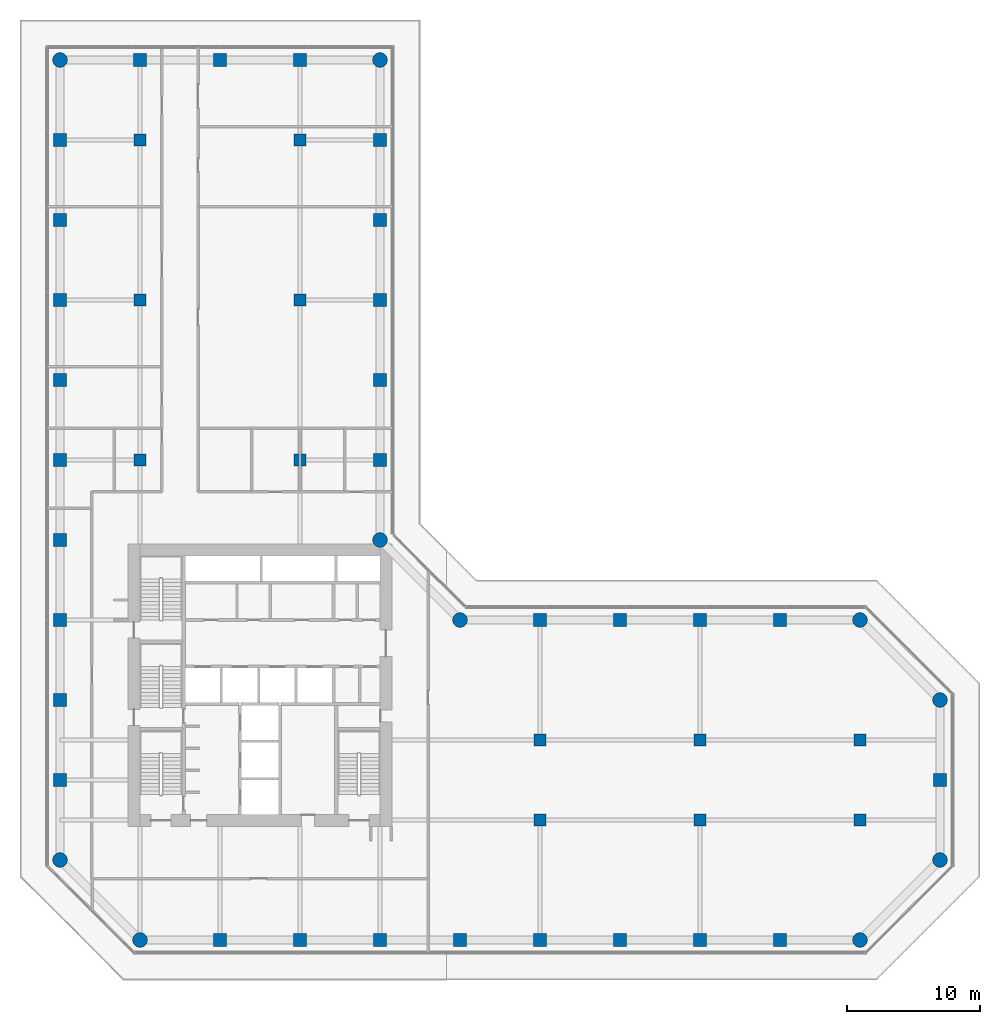
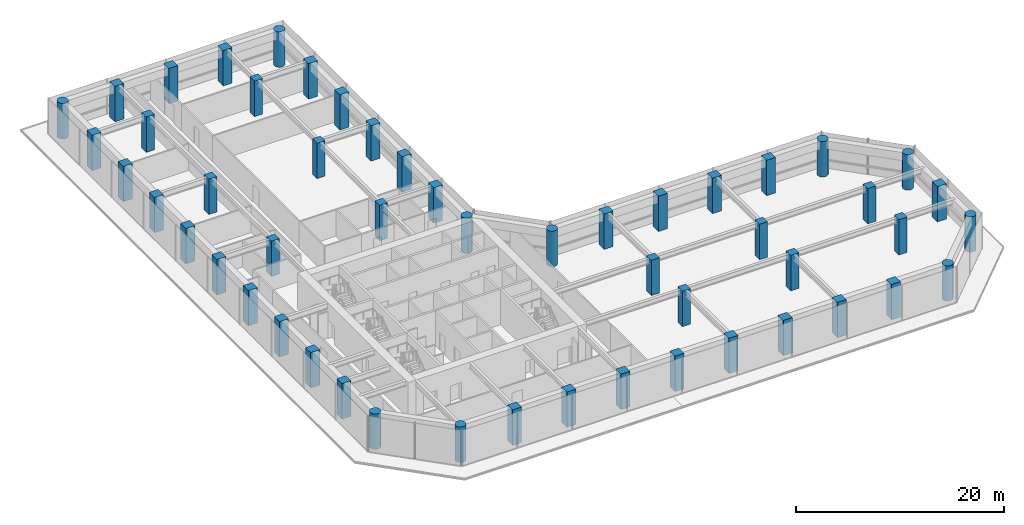
# One storey, part 1 of 24: 52 columns.
"""IFC4 building model written with IfcOpenShell, lengths in metres."""

from ifc_helpers import new_model, si_unit, direction, frame, origin, origin_2d, place, context, subcontext, project, spatial, rectangle, circle, extrude, material, material_profile, profile_set, type_object, element, save


model = new_model("IFC4")

# Units and contexts
model_context = context("Model", 3, precision=1e-05, world=origin(), true_north=direction((0.0, 1.0)))
body_context = subcontext(model_context, "Body", "Model", "MODEL_VIEW")
ifc_project = project(units=[si_unit("LENGTHUNIT", "METRE"), si_unit("AREAUNIT", "SQUARE_METRE"), si_unit("VOLUMEUNIT", "CUBIC_METRE"), si_unit("PLANEANGLEUNIT", "RADIAN"), si_unit("MASSUNIT", "GRAM", prefix="KILO")], contexts=[model_context])

# Site, building, storey
site_placement = place(None, origin())
site = spatial("IfcSite", under=ifc_project, at=site_placement, CompositionType="ELEMENT")
building_placement = place(site_placement, origin())
building = spatial("IfcBuilding", under=site, at=building_placement, Name="Welwitschia Terrace Campus", CompositionType="ELEMENT")
storey_placement = place(building_placement, frame((0.0, 0.0, 15.5)))
storey = spatial("IfcBuildingStorey", under=building, at=storey_placement, Name="L03", CompositionType="ELEMENT", Elevation=15.5)

# Columns
ifc_material_1 = material(Name="Concrete C60/75", Category="concrete")
ifc_material_profile_1 = material_profile(ifc_material_1, circle(Radius=0.550048828125, at=origin_2d()))
ifc_profile_set_1 = profile_set([ifc_material_profile_1], Name="Concrete C60/75")
column_type_1 = type_object("IfcColumnType", Name="Corner column 1100 dia", PredefinedType="COLUMN", material=ifc_profile_set_1)
for number, where, z_axis, x_axis, name in (
    (1, (0.0, 2.0, 0.0), (0.0, 0.0, 1.0), (1.0, 0.0, 0.0), "Column C2"),
    (2, (0.0, 62.0, 0.0), (0.0, 0.0, 1.0), (1.0, 0.0, 0.0), "Column C2"),
    (3, (6.0, -4.0, 0.0), (0.0, 0.0, 1.0), (1.0, 0.0, 0.0), "Column C2"),
    (4, (24.0, 26.0, 0.0), (0.0, 0.0, 1.0), (1.0, 0.0, 0.0), "Column C2"),
    (5, (24.0, 62.0, 0.0), (0.0, 0.0, 1.0), (1.0, 0.0, 0.0), "Column C2"),
    (6, (30.0, 20.0, 0.0), (0.0, 0.0, 1.0), (1.0, 0.0, 0.0), "Column C2"),
    (7, (60.0, -4.0, 0.0), (0.0, 0.0, 1.0), (1.0, 0.0, 0.0), "Column C2"),
    (8, (60.0, 20.0, 0.0), (0.0, 0.0, 1.0), (1.0, 0.0, 0.0), "Column C2"),
    (9, (66.0, 2.0, 0.0), (0.0, 0.0, 1.0), (1.0, 0.0, 0.0), "Column C2"),
    (10, (66.0, 14.0, 0.0), (0.0, 0.0, 1.0), (1.0, 0.0, 0.0), "Column C2"),
):
    element("IfcColumn", number, at=place(storey_placement, frame(where, z_axis=z_axis, x_axis=x_axis)), inside=storey, type_object=column_type_1, Name=name, PredefinedType="COLUMN", context=body_context, shape_type="SweptSolid", body=[
        extrude(circle(Radius=0.550048828125, at=origin_2d()), origin(), (0.0, 0.0, 1.0), 4.14990234375),
    ])
ifc_material_2 = material(Name="Concrete C60/75", Category="concrete")
ifc_material_profile_2 = material_profile(ifc_material_2, rectangle(XDim=0.89990234375, YDim=0.89990234375, at=origin_2d()))
ifc_profile_set_2 = profile_set([ifc_material_profile_2], Name="Concrete C60/75")
column_type_2 = type_object("IfcColumnType", Name="Interior column 900x900", PredefinedType="COLUMN", material=ifc_profile_set_2)
for number, where, z_axis, x_axis, name in (
    (11, (6.0, 32.0, 0.0), (0.0, 0.0, 1.0), (1.0, 0.0, 0.0), "Column C4"),
    (12, (6.0, 44.0, 0.0), (0.0, 0.0, 1.0), (1.0, 0.0, 0.0), "Column C4"),
    (13, (6.0, 56.0, 0.0), (0.0, 0.0, 1.0), (1.0, 0.0, 0.0), "Column C4"),
    (14, (18.0, 32.0, 0.0), (0.0, 0.0, 1.0), (1.0, 0.0, 0.0), "Column C4"),
    (15, (18.0, 44.0, 0.0), (0.0, 0.0, 1.0), (1.0, 0.0, 0.0), "Column C4"),
    (16, (18.0, 56.0, 0.0), (0.0, 0.0, 1.0), (1.0, 0.0, 0.0), "Column C4"),
    (17, (36.0, 5.0, 0.0), (0.0, 0.0, 1.0), (1.0, 0.0, 0.0), "Column C4"),
    (18, (36.0, 11.0, 0.0), (0.0, 0.0, 1.0), (1.0, 0.0, 0.0), "Column C4"),
    (19, (48.0, 5.0, 0.0), (0.0, 0.0, 1.0), (1.0, 0.0, 0.0), "Column C4"),
    (20, (48.0, 11.0, 0.0), (0.0, 0.0, 1.0), (1.0, 0.0, 0.0), "Column C4"),
    (21, (60.0, 5.0, 0.0), (0.0, 0.0, 1.0), (1.0, 0.0, 0.0), "Column C4"),
    (22, (60.0, 11.0, 0.0), (0.0, 0.0, 1.0), (1.0, 0.0, 0.0), "Column C4"),
):
    element("IfcColumn", number, at=place(storey_placement, frame(where, z_axis=z_axis, x_axis=x_axis)), inside=storey, type_object=column_type_2, Name=name, PredefinedType="COLUMN", context=body_context, shape_type="SweptSolid", body=[
        extrude(rectangle(XDim=0.89990234375, YDim=0.89990234375, at=origin_2d()), origin(), (0.0, 0.0, 1.0), 4.14990234375),
    ])
ifc_material_3 = material(Name="Concrete C60/75", Category="concrete")
ifc_material_profile_3 = material_profile(ifc_material_3, rectangle(XDim=1.0, YDim=1.0, at=origin_2d()))
ifc_profile_set_3 = profile_set([ifc_material_profile_3], Name="Concrete C60/75")
column_type_3 = type_object("IfcColumnType", Name="Ring column 1000x1000", PredefinedType="COLUMN", material=ifc_profile_set_3)
for number, where, z_axis, x_axis, name in (
    (23, (0.0, 8.0, 0.0), (0.0, 0.0, 1.0), (1.0, 0.0, 0.0), "Column C3"),
    (24, (0.0, 14.0, 0.0), (0.0, 0.0, 1.0), (1.0, 0.0, 0.0), "Column C3"),
    (25, (0.0, 20.0, 0.0), (0.0, 0.0, 1.0), (1.0, 0.0, 0.0), "Column C3"),
    (26, (0.0, 26.0, 0.0), (0.0, 0.0, 1.0), (1.0, 0.0, 0.0), "Column C3"),
    (27, (0.0, 32.0, 0.0), (0.0, 0.0, 1.0), (1.0, 0.0, 0.0), "Column C3"),
    (28, (0.0, 38.0, 0.0), (0.0, 0.0, 1.0), (1.0, 0.0, 0.0), "Column C3"),
    (29, (0.0, 44.0, 0.0), (0.0, 0.0, 1.0), (1.0, 0.0, 0.0), "Column C3"),
    (30, (0.0, 50.0, 0.0), (0.0, 0.0, 1.0), (1.0, 0.0, 0.0), "Column C3"),
    (31, (0.0, 56.0, 0.0), (0.0, 0.0, 1.0), (1.0, 0.0, 0.0), "Column C3"),
    (32, (6.0, 62.0, 0.0), (0.0, 0.0, 1.0), (1.0, 0.0, 0.0), "Column C3"),
    (33, (12.0, -4.0, 0.0), (0.0, 0.0, 1.0), (1.0, 0.0, 0.0), "Column C3"),
    (34, (12.0, 62.0, 0.0), (0.0, 0.0, 1.0), (1.0, 0.0, 0.0), "Column C3"),
    (35, (18.0, -4.0, 0.0), (0.0, 0.0, 1.0), (1.0, 0.0, 0.0), "Column C3"),
    (36, (18.0, 62.0, 0.0), (0.0, 0.0, 1.0), (1.0, 0.0, 0.0), "Column C3"),
    (37, (24.0, -4.0, 0.0), (0.0, 0.0, 1.0), (1.0, 0.0, 0.0), "Column C3"),
    (38, (24.0, 32.0, 0.0), (0.0, 0.0, 1.0), (1.0, 0.0, 0.0), "Column C3"),
    (39, (24.0, 38.0, 0.0), (0.0, 0.0, 1.0), (1.0, 0.0, 0.0), "Column C3"),
    (40, (24.0, 44.0, 0.0), (0.0, 0.0, 1.0), (1.0, 0.0, 0.0), "Column C3"),
    (41, (24.0, 50.0, 0.0), (0.0, 0.0, 1.0), (1.0, 0.0, 0.0), "Column C3"),
    (42, (24.0, 56.0, 0.0), (0.0, 0.0, 1.0), (1.0, 0.0, 0.0), "Column C3"),
    (43, (30.0, -4.0, 0.0), (0.0, 0.0, 1.0), (1.0, 0.0, 0.0), "Column C3"),
    (44, (36.0, -4.0, 0.0), (0.0, 0.0, 1.0), (1.0, 0.0, 0.0), "Column C3"),
    (45, (36.0, 20.0, 0.0), (0.0, 0.0, 1.0), (1.0, 0.0, 0.0), "Column C3"),
    (46, (42.0, -4.0, 0.0), (0.0, 0.0, 1.0), (1.0, 0.0, 0.0), "Column C3"),
    (47, (42.0, 20.0, 0.0), (0.0, 0.0, 1.0), (1.0, 0.0, 0.0), "Column C3"),
    (48, (48.0, -4.0, 0.0), (0.0, 0.0, 1.0), (1.0, 0.0, 0.0), "Column C3"),
    (49, (48.0, 20.0, 0.0), (0.0, 0.0, 1.0), (1.0, 0.0, 0.0), "Column C3"),
    (50, (54.0, -4.0, 0.0), (0.0, 0.0, 1.0), (1.0, 0.0, 0.0), "Column C3"),
    (51, (54.0, 20.0, 0.0), (0.0, 0.0, 1.0), (1.0, 0.0, 0.0), "Column C3"),
    (52, (66.0, 8.0, 0.0), (0.0, 0.0, 1.0), (1.0, 0.0, 0.0), "Column C3"),
):
    element("IfcColumn", number, at=place(storey_placement, frame(where, z_axis=z_axis, x_axis=x_axis)), inside=storey, type_object=column_type_3, Name=name, PredefinedType="COLUMN", context=body_context, shape_type="SweptSolid", body=[
        extrude(rectangle(XDim=1.0, YDim=1.0, at=origin_2d()), origin(), (0.0, 0.0, 1.0), 4.14990234375),
    ])

save(model, "model.ifc")
